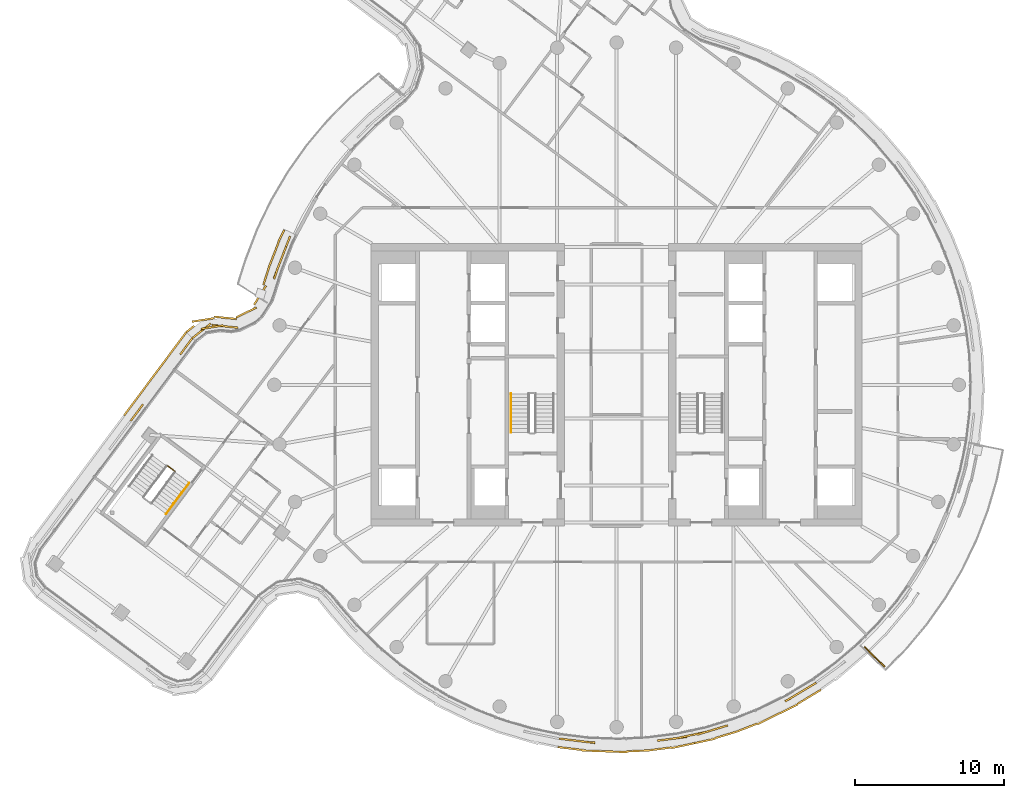
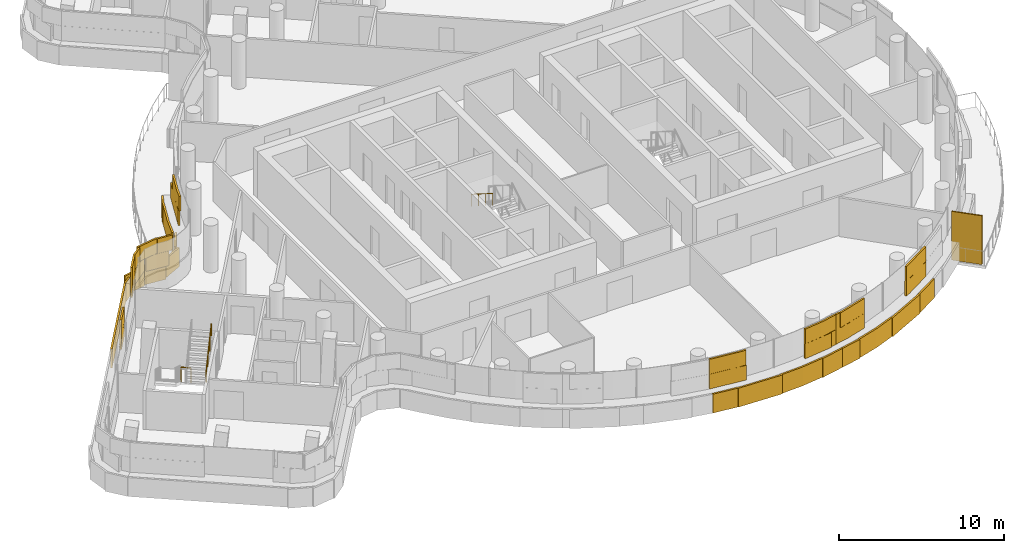
# One storey, part 23 of 27: 4 coverings, 3 railings, 1 shading device.
"""IFC4 building model written with IfcOpenShell, lengths in metres."""

from ifc_helpers import new_model, si_unit, direction, frame, origin, origin_2d, place, context, subcontext, project, spatial, rectangle, circle, extrude, material, layer, layer_set, type_object, element, save


model = new_model("IFC4")

# Units and contexts
model_context = context("Model", 3, precision=1e-05, world=origin(), true_north=direction((0.0, 1.0)))
body_context = subcontext(model_context, "Body", "Model", "MODEL_VIEW")
ifc_project = project(units=[si_unit("LENGTHUNIT", "METRE"), si_unit("AREAUNIT", "SQUARE_METRE"), si_unit("VOLUMEUNIT", "CUBIC_METRE"), si_unit("PLANEANGLEUNIT", "RADIAN"), si_unit("MASSUNIT", "GRAM", prefix="KILO")], contexts=[model_context])

# Site, building, storey
site_placement = place(None, origin())
site = spatial("IfcSite", under=ifc_project, at=site_placement, CompositionType="ELEMENT")
building_placement = place(site_placement, origin())
building = spatial("IfcBuilding", under=site, at=building_placement, Name="Tamarind Cross Interchange Tower", CompositionType="ELEMENT")
storey_placement = place(building_placement, frame((0.0, 0.0, 227.10009765625)))
storey = spatial("IfcBuildingStorey", under=building, at=storey_placement, Name="L57", CompositionType="ELEMENT", Elevation=227.10009765625)

# Shading device
ifc_material_1 = material(Name="Bronze-finish aluminium louvre", Category="aluminium")
ifc_layer_1 = layer(ifc_material_1, 0.080078125)
ifc_layer_set_1 = layer_set([ifc_layer_1], Name="Bronze-finish aluminium louvre")
shading_device_type = type_object("IfcShadingDeviceType", Name="Operable louvre bay", PredefinedType="JALOUSIE", material=ifc_layer_set_1)
shading_device_placement = place(storey_placement, origin())
element("IfcShadingDevice", 1, at=shading_device_placement, inside=storey, type_object=shading_device_type, Name="LVR-L57-BAL02", PredefinedType="JALOUSIE", context=body_context, shape_type="SweptSolid", body=[
    extrude(rectangle(XDim=1.89990234375, YDim=0.080078125, at=origin_2d()), frame((17.330322265625, -18.277587890625, -0.000244140625), z_axis=(0.0, 0.0, 1.0), x_axis=(0.710143317658, -0.704057148523, 0.0)), (0.0, 0.0, 1.0), 3.60009765625),
])

# Railings
ifc_material_2 = material(Name="Stair guard")
railing_type_1 = type_object("IfcRailingType", Name="Stair guard", PredefinedType="GUARDRAIL", material=ifc_material_2)
railing_1_placement = place(storey_placement, frame((-30.17529296875, -5.442138671875, 0.0)))
element("IfcRailing", 2, at=railing_1_placement, inside=storey, type_object=railing_type_1, Name="L57 ST5 stair guard 4", PredefinedType="GUARDRAIL", context=body_context, shape_type="SweptSolid", body=[
    extrude(circle(Radius=0.02392578125, at=origin_2d()), frame((0.0, 0.0, 1.076171875), z_axis=(0.801657222173, -0.597783989529, 0.0), x_axis=(0.597783989529, 0.801657222173, 0.0)), (0.0, 0.0, 1.0), 0.599853515625),
    extrude(circle(Radius=0.02099609375, at=origin_2d()), origin(), (0.0, 0.0, 1.0), 1.052001953125),
    extrude(circle(Radius=0.02099609375, at=origin_2d()), frame((0.48095703125, -0.358642578125, 0.0)), (0.0, 0.0, 1.0), 1.052001953125),
])
ifc_material_3 = material(Name="Stair handrail")
railing_type_2 = type_object("IfcRailingType", Name="Stair handrail", PredefinedType="HANDRAIL", material=ifc_material_3)
railing_2_placement = place(storey_placement, frame((-7.10009765625, -0.60009765625, 1.963623046875)))
element("IfcRailing", 3, at=railing_2_placement, inside=storey, type_object=railing_type_2, Name="L57 ST1 stair handrail 2", PredefinedType="HANDRAIL", context=body_context, shape_type="SweptSolid", body=[
    extrude(circle(Radius=0.02392578125, at=origin_2d()), frame((0.0, 0.0, 0.8759765625), z_axis=(0.0, -0.846337672412, 0.532646734952), x_axis=(1.0, 0.0, 0.0)), (0.0, 0.0, 1.0), 3.07177734375),
    extrude(circle(Radius=0.02099609375, at=origin_2d()), origin(), (0.0, 0.0, 1.0), 0.851806640625),
    extrude(circle(Radius=0.02099609375, at=origin_2d()), frame((0.0, -0.86669921875, 0.54541015625)), (0.0, 0.0, 1.0), 0.851806640625),
    extrude(circle(Radius=0.02099609375, at=origin_2d()), frame((0.0, -1.733154296875, 1.0908203125)), (0.0, 0.0, 1.0), 0.851806640625),
    extrude(circle(Radius=0.02099609375, at=origin_2d()), frame((0.0, -2.599853515625, 1.63623046875)), (0.0, 0.0, 1.0), 0.851806640625),
])
railing_3_placement = place(storey_placement, frame((-30.276611328125, -8.67236328125, 1.963623046875)))
element("IfcRailing", 4, at=railing_3_placement, inside=storey, type_object=railing_type_2, Name="L57 ST5 stair handrail 2", PredefinedType="HANDRAIL", context=body_context, shape_type="SweptSolid", body=[
    extrude(circle(Radius=0.02392578125, at=origin_2d()), frame((0.0, 0.0, 0.8759765625), z_axis=(0.505993810568, 0.678446546383, 0.532616698355), x_axis=(-0.801608407314, 0.597849447038, 0.0)), (0.0, 0.0, 1.0), 3.072021484375),
    extrude(circle(Radius=0.02099609375, at=origin_2d()), origin(), (0.0, 0.0, 1.0), 0.851806640625),
    extrude(circle(Radius=0.02099609375, at=origin_2d()), frame((0.51806640625, 0.69482421875, 0.54541015625)), (0.0, 0.0, 1.0), 0.851806640625),
    extrude(circle(Radius=0.02099609375, at=origin_2d()), frame((1.036376953125, 1.389404296875, 1.0908203125)), (0.0, 0.0, 1.0), 0.851806640625),
    extrude(circle(Radius=0.02099609375, at=origin_2d()), frame((1.554443359375, 2.084228515625, 1.63623046875)), (0.0, 0.0, 1.0), 0.851806640625),
])

# Coverings
ifc_material_4 = material(Name="Terracotta", Category="masonry")
ifc_layer_2 = layer(ifc_material_4, 0.1201171875)
ifc_layer_set_2 = layer_set([ifc_layer_2], Name="Terracotta")
covering_type = type_object("IfcCoveringType", Name="Terracotta baguette screen unit", PredefinedType="MOLDING", material=ifc_layer_set_2)
covering_1_placement = place(storey_placement, origin())
element("IfcCovering", 5, at=covering_1_placement, inside=storey, type_object=covering_type, Name="SCR-L57-02-02", PredefinedType="MOLDING", context=body_context, shape_type="SweptSolid", body=[
    extrude(rectangle(XDim=1.119384765625, YDim=0.1201171875, at=origin_2d()), frame((-3.3115234375, -23.840576171875, 1.40380859375), z_axis=(0.0, 0.0, 1.0), x_axis=(0.992843710523, -0.119420963295, 0.0)), (0.0, 0.0, 1.0), 1.092041015625),
    extrude(rectangle(XDim=1.322265625, YDim=0.1201171875, at=origin_2d()), frame((-2.109375, -23.985107421875, 1.40380859375), z_axis=(0.0, 0.0, 1.0), x_axis=(0.992843710523, -0.119420963295, 0.0)), (0.0, 0.0, 1.0), 1.092041015625),
    extrude(rectangle(XDim=0.49755859375, YDim=0.1201171875, at=origin_2d()), frame((2.978271484375, -23.880615234375, 1.40380859375), z_axis=(0.0, 0.0, 1.0), x_axis=(0.991779070368, 0.127962008342, 0.0)), (0.0, 0.0, 1.0), 1.092041015625),
    extrude(rectangle(XDim=1.52001953125, YDim=0.1201171875, at=origin_2d()), frame((3.964111328125, -23.75341796875, 1.40380859375), z_axis=(0.0, 0.0, 1.0), x_axis=(0.991779070368, 0.127962008342, 0.0)), (0.0, 0.0, 1.0), 1.092041015625),
    extrude(rectangle(XDim=0.44384765625, YDim=0.1201171875, at=origin_2d()), frame((4.910888671875, -23.559326171875, 1.40380859375), z_axis=(0.0, 0.0, 1.0), x_axis=(0.977824623121, 0.209425419705, 0.0)), (0.0, 0.0, 1.0), 1.092041015625),
    extrude(rectangle(XDim=0.369384765625, YDim=0.1201171875, at=origin_2d()), frame((-3.683837890625, -23.7958984375, 2.50390625), z_axis=(0.0, 0.0, 1.0), x_axis=(0.992843710523, -0.119420963295, 0.0)), (0.0, 0.0, 1.0), 1.092041015625),
    extrude(rectangle(XDim=1.52001953125, YDim=0.1201171875, at=origin_2d()), frame((-2.7607421875, -23.90673828125, 2.50390625), z_axis=(0.0, 0.0, 1.0), x_axis=(0.992843710523, -0.119420963295, 0.0)), (0.0, 0.0, 1.0), 1.092041015625),
    extrude(rectangle(XDim=0.572265625, YDim=0.1201171875, at=origin_2d()), frame((-1.736083984375, -24.017578125, 2.50390625), z_axis=(0.0, 0.0, 1.0), x_axis=(0.999314350871, -0.037024696392, 0.0)), (0.0, 0.0, 1.0), 1.092041015625),
    extrude(rectangle(XDim=1.24755859375, YDim=0.1201171875, at=origin_2d()), frame((3.350341796875, -23.832763671875, 2.50390625), z_axis=(0.0, 0.0, 1.0), x_axis=(0.991779070368, 0.127962008342, 0.0)), (0.0, 0.0, 1.0), 1.092041015625),
    extrude(rectangle(XDim=1.19384765625, YDim=0.1201171875, at=origin_2d()), frame((4.544189453125, -23.637939453125, 2.50390625), z_axis=(0.0, 0.0, 1.0), x_axis=(0.977824623121, 0.209425419705, 0.0)), (0.0, 0.0, 1.0), 1.092041015625),
    extrude(rectangle(XDim=0.170166015625, YDim=0.1201171875, at=origin_2d()), frame((-3.86962890625, -24.3515625, 0.00390625), z_axis=(0.0, 0.0, 1.0), x_axis=(0.992843710523, -0.119420963295, 0.0)), (0.0, 0.0, 1.0), 1.39208984375),
    extrude(rectangle(XDim=1.52001953125, YDim=0.1201171875, at=origin_2d()), frame((-3.050537109375, -24.4501953125, 0.00390625), z_axis=(0.0, 0.0, 1.0), x_axis=(0.992843710523, -0.119420963295, 0.0)), (0.0, 0.0, 1.0), 1.39208984375),
    extrude(rectangle(XDim=1.52001953125, YDim=0.1201171875, at=origin_2d()), frame((-1.558837890625, -24.5986328125, 0.00390625), z_axis=(0.0, 0.0, 1.0), x_axis=(0.999314350871, -0.037024696392, 0.0)), (0.0, 0.0, 1.0), 1.39208984375),
    extrude(rectangle(XDim=1.52001953125, YDim=0.1201171875, at=origin_2d()), frame((-0.059814453125, -24.654052734375, 0.00390625), z_axis=(0.0, 0.0, 1.0), x_axis=(0.999314350871, -0.037024696392, 0.0)), (0.0, 0.0, 1.0), 1.39208984375),
    extrude(rectangle(XDim=1.52001953125, YDim=0.1201171875, at=origin_2d()), frame((1.438720703125, -24.599365234375, 0.00390625), z_axis=(0.0, 0.0, 1.0), x_axis=(0.998958660912, 0.045624486728, 0.0)), (0.0, 0.0, 1.0), 1.39208984375),
    extrude(rectangle(XDim=1.52001953125, YDim=0.1201171875, at=origin_2d()), frame((2.931396484375, -24.465576171875, 0.00390625), z_axis=(0.0, 0.0, 1.0), x_axis=(0.991779070368, 0.127962008342, 0.0)), (0.0, 0.0, 1.0), 1.39208984375),
    extrude(rectangle(XDim=1.52001953125, YDim=0.1201171875, at=origin_2d()), frame((4.41552734375, -24.25244140625, 0.00390625), z_axis=(0.0, 0.0, 1.0), x_axis=(0.977824623121, 0.209425419705, 0.0)), (0.0, 0.0, 1.0), 1.39208984375),
    extrude(rectangle(XDim=0.108642578125, YDim=0.1201171875, at=origin_2d()), frame((5.192138671875, -24.086181640625, 0.00390625), z_axis=(0.0, 0.0, 1.0), x_axis=(0.977824623121, 0.209425419705, 0.0)), (0.0, 0.0, 1.0), 1.39208984375),
])
covering_2_placement = place(storey_placement, origin())
element("IfcCovering", 6, at=covering_2_placement, inside=storey, type_object=covering_type, Name="SCR-L57-02-03", PredefinedType="MOLDING", context=body_context, shape_type="SweptSolid", body=[
    extrude(rectangle(XDim=1.076171875, YDim=0.1201171875, at=origin_2d()), frame((5.644287109375, -23.40234375, 1.40380859375), z_axis=(0.0, 0.0, 1.0), x_axis=(0.977824623121, 0.209425419705, 0.0)), (0.0, 0.0, 1.0), 1.092041015625),
    extrude(rectangle(XDim=1.365234375, YDim=0.1201171875, at=origin_2d()), frame((6.81103515625, -23.08203125, 1.40380859375), z_axis=(0.0, 0.0, 1.0), x_axis=(0.957190642199, 0.289458243079, 0.0)), (0.0, 0.0, 1.0), 1.092041015625),
    extrude(rectangle(XDim=0.45458984375, YDim=0.1201171875, at=origin_2d()), frame((11.52001953125, -21.150634765625, 1.40380859375), z_axis=(0.0, 0.0, 1.0), x_axis=(0.896492548518, 0.443058811505, 0.0)), (0.0, 0.0, 1.0), 1.092041015625),
    extrude(rectangle(XDim=1.52001953125, YDim=0.1201171875, at=origin_2d()), frame((12.354736328125, -20.652099609375, 1.40380859375), z_axis=(0.0, 0.0, 1.0), x_axis=(0.856843065292, 0.515577308909, 0.0)), (0.0, 0.0, 1.0), 1.092041015625),
    extrude(rectangle(XDim=0.486572265625, YDim=0.1201171875, at=origin_2d()), frame((13.20166015625, -20.142578125, 1.40380859375), z_axis=(0.0, 0.0, 1.0), x_axis=(0.856843065292, 0.515577308909, 0.0)), (0.0, 0.0, 1.0), 1.092041015625),
    extrude(rectangle(XDim=0.326171875, YDim=0.1201171875, at=origin_2d()), frame((5.277587890625, -23.48095703125, 2.50390625), z_axis=(0.0, 0.0, 1.0), x_axis=(0.977824623121, 0.209425419705, 0.0)), (0.0, 0.0, 1.0), 1.092041015625),
    extrude(rectangle(XDim=1.52001953125, YDim=0.1201171875, at=origin_2d()), frame((6.162353515625, -23.2783203125, 2.50390625), z_axis=(0.0, 0.0, 1.0), x_axis=(0.957190642199, 0.289458243079, 0.0)), (0.0, 0.0, 1.0), 1.092041015625),
    extrude(rectangle(XDim=0.615234375, YDim=0.1201171875, at=origin_2d()), frame((7.169921875, -22.9736328125, 2.50390625), z_axis=(0.0, 0.0, 1.0), x_axis=(0.957190642199, 0.289458243079, 0.0)), (0.0, 0.0, 1.0), 1.092041015625),
    extrude(rectangle(XDim=1.20458984375, YDim=0.1201171875, at=origin_2d()), frame((11.843017578125, -20.960205078125, 2.50390625), z_axis=(0.0, 0.0, 1.0), x_axis=(0.856843065292, 0.515577308909, 0.0)), (0.0, 0.0, 1.0), 1.092041015625),
    extrude(rectangle(XDim=1.236572265625, YDim=0.1201171875, at=origin_2d()), frame((12.88037109375, -20.3359375, 2.50390625), z_axis=(0.0, 0.0, 1.0), x_axis=(0.856843065292, 0.515577308909, 0.0)), (0.0, 0.0, 1.0), 1.092041015625),
    extrude(rectangle(XDim=1.411376953125, YDim=0.1201171875, at=origin_2d()), frame((5.935302734375, -23.927001953125, 0.00390625), z_axis=(0.0, 0.0, 1.0), x_axis=(0.977824623121, 0.209425419705, 0.0)), (0.0, 0.0, 1.0), 1.39208984375),
    extrude(rectangle(XDim=1.52001953125, YDim=0.1201171875, at=origin_2d()), frame((7.32373046875, -23.526611328125, 0.00390625), z_axis=(0.0, 0.0, 1.0), x_axis=(0.957190642199, 0.289458243079, 0.0)), (0.0, 0.0, 1.0), 1.39208984375),
    extrude(rectangle(XDim=1.52001953125, YDim=0.1201171875, at=origin_2d()), frame((8.740966796875, -23.039306640625, 0.00390625), z_axis=(0.0, 0.0, 1.0), x_axis=(0.930018078613, 0.367513773146, 0.0)), (0.0, 0.0, 1.0), 1.39208984375),
    extrude(rectangle(XDim=1.52001953125, YDim=0.1201171875, at=origin_2d()), frame((10.13134765625, -22.477294921875, 0.00390625), z_axis=(0.0, 0.0, 1.0), x_axis=(0.896492548518, 0.443058811505, 0.0)), (0.0, 0.0, 1.0), 1.39208984375),
    extrude(rectangle(XDim=1.52001953125, YDim=0.1201171875, at=origin_2d()), frame((11.47607421875, -21.812744140625, 0.00390625), z_axis=(0.0, 0.0, 1.0), x_axis=(0.896492548518, 0.443058811505, 0.0)), (0.0, 0.0, 1.0), 1.39208984375),
    extrude(rectangle(XDim=1.52001953125, YDim=0.1201171875, at=origin_2d()), frame((12.77685546875, -21.06787109375, 0.00390625), z_axis=(0.0, 0.0, 1.0), x_axis=(0.856843065292, 0.515577308909, 0.0)), (0.0, 0.0, 1.0), 1.39208984375),
    extrude(rectangle(XDim=0.366943359375, YDim=0.1201171875, at=origin_2d()), frame((13.568359375, -20.591796875, 0.00390625), z_axis=(0.0, 0.0, 1.0), x_axis=(0.856843065292, 0.515577308909, 0.0)), (0.0, 0.0, 1.0), 1.39208984375),
])
covering_3_placement = place(storey_placement, origin())
element("IfcCovering", 7, at=covering_3_placement, inside=storey, type_object=covering_type, Name="SCR-L57-06-01", PredefinedType="MOLDING", context=body_context, shape_type="SweptSolid", body=[
    extrude(rectangle(XDim=1.52001953125, YDim=0.1201171875, at=origin_2d()), frame((-22.218017578125, 9.27099609375, 1.40380859375), z_axis=(0.0, 0.0, 1.0), x_axis=(-0.359478314887, -0.933153439219, 0.0)), (0.0, 0.0, 1.0), 1.092041015625),
    extrude(rectangle(XDim=1.52001953125, YDim=0.1201171875, at=origin_2d()), frame((-22.757080078125, 7.87109375, 1.40380859375), z_axis=(0.0, 0.0, 1.0), x_axis=(-0.359478314887, -0.933153439219, 0.0)), (0.0, 0.0, 1.0), 1.092041015625),
    extrude(rectangle(XDim=1.52001953125, YDim=0.1201171875, at=origin_2d()), frame((-26.437255859375, 3.9404296875, 1.40380859375), z_axis=(0.0, 0.0, 1.0), x_axis=(-0.994785424542, 0.101989995189, 0.0)), (0.0, 0.0, 1.0), 1.092041015625),
    extrude(rectangle(XDim=1.52001953125, YDim=0.1201171875, at=origin_2d()), frame((-27.869873046875, 3.64306640625, 1.40380859375), z_axis=(0.0, 0.0, 1.0), x_axis=(-0.782606458672, -0.622516771537, 0.0)), (0.0, 0.0, 1.0), 1.092041015625),
    extrude(rectangle(XDim=0.06982421875, YDim=0.1201171875, at=origin_2d()), frame((-28.480224609375, 3.15771484375, 1.40380859375), z_axis=(0.0, 0.0, 1.0), x_axis=(-0.782606458672, -0.622516771537, 0.0)), (0.0, 0.0, 1.0), 1.092041015625),
    extrude(rectangle(XDim=1.52001953125, YDim=0.1201171875, at=origin_2d()), frame((-22.487548828125, 8.571044921875, 2.50390625), z_axis=(0.0, 0.0, 1.0), x_axis=(-0.359478314887, -0.933153439219, 0.0)), (0.0, 0.0, 1.0), 1.092041015625),
    extrude(rectangle(XDim=0.820556640625, YDim=0.1201171875, at=origin_2d()), frame((-22.888671875, 7.488037109375, 2.50390625), z_axis=(0.0, 0.0, 1.0), x_axis=(-0.302552246767, -0.953132801857, 0.0)), (0.0, 0.0, 1.0), 1.092041015625),
    extrude(rectangle(XDim=0.99951171875, YDim=0.1201171875, at=origin_2d()), frame((-25.945068359375, 3.889892578125, 2.50390625), z_axis=(0.0, 0.0, 1.0), x_axis=(-0.994785424542, 0.101989995189, 0.0)), (0.0, 0.0, 1.0), 1.092041015625),
    extrude(rectangle(XDim=1.52001953125, YDim=0.1201171875, at=origin_2d()), frame((-27.179443359375, 3.874755859375, 2.50390625), z_axis=(0.0, 0.0, 1.0), x_axis=(-0.987876370015, -0.155242640937, 0.0)), (0.0, 0.0, 1.0), 1.092041015625),
    extrude(rectangle(XDim=0.81982421875, YDim=0.1201171875, at=origin_2d()), frame((-28.186767578125, 3.39111328125, 2.50390625), z_axis=(0.0, 0.0, 1.0), x_axis=(-0.782606458672, -0.622516771537, 0.0)), (0.0, 0.0, 1.0), 1.092041015625),
    extrude(rectangle(XDim=0.957763671875, YDim=0.1201171875, at=origin_2d()), frame((-22.54150390625, 9.9833984375, 0.00390625), z_axis=(0.0, 0.0, 1.0), x_axis=(-0.435326231914, -0.900272776334, 0.0)), (0.0, 0.0, 1.0), 1.39208984375),
    extrude(rectangle(XDim=1.52001953125, YDim=0.1201171875, at=origin_2d()), frame((-22.994384765625, 8.852294921875, 0.00390625), z_axis=(0.0, 0.0, 1.0), x_axis=(-0.359478314887, -0.933153439219, 0.0)), (0.0, 0.0, 1.0), 1.39208984375),
    extrude(rectangle(XDim=1.52001953125, YDim=0.1201171875, at=origin_2d()), frame((-23.50537109375, 7.442626953125, 0.00390625), z_axis=(0.0, 0.0, 1.0), x_axis=(-0.302552246767, -0.953132801857, 0.0)), (0.0, 0.0, 1.0), 1.39208984375),
    extrude(rectangle(XDim=1.52001953125, YDim=0.1201171875, at=origin_2d()), frame((-23.964111328125, 6.015380859375, 0.00390625), z_axis=(0.0, 0.0, 1.0), x_axis=(-0.53594577074, -0.844252409429, 0.0)), (0.0, 0.0, 1.0), 1.39208984375),
    extrude(rectangle(XDim=1.52001953125, YDim=0.1201171875, at=origin_2d()), frame((-24.887451171875, 4.86279296875, 0.00390625), z_axis=(0.0, 0.0, 1.0), x_axis=(-0.899793404136, -0.436316204001, 0.0)), (0.0, 0.0, 1.0), 1.39208984375),
    extrude(rectangle(XDim=1.52001953125, YDim=0.1201171875, at=origin_2d()), frame((-26.302734375, 4.503662109375, 0.00390625), z_axis=(0.0, 0.0, 1.0), x_axis=(-0.994785424542, 0.101989995189, 0.0)), (0.0, 0.0, 1.0), 1.39208984375),
    extrude(rectangle(XDim=1.52001953125, YDim=0.1201171875, at=origin_2d()), frame((-27.787109375, 4.3603515625, 0.00390625), z_axis=(0.0, 0.0, 1.0), x_axis=(-0.987876370015, -0.155242640937, 0.0)), (0.0, 0.0, 1.0), 1.39208984375),
    extrude(rectangle(XDim=0.67236328125, YDim=0.1201171875, at=origin_2d()), frame((-28.656005859375, 3.751220703125, 0.00390625), z_axis=(0.0, 0.0, 1.0), x_axis=(-0.782606458672, -0.622516771537, 0.0)), (0.0, 0.0, 1.0), 1.39208984375),
])
covering_4_placement = place(storey_placement, origin())
element("IfcCovering", 8, at=covering_4_placement, inside=storey, type_object=covering_type, Name="SCR-L57-07-00", PredefinedType="MOLDING", context=body_context, shape_type="SweptSolid", body=[
    extrude(rectangle(XDim=0.760009765625, YDim=0.1201171875, at=origin_2d()), frame((-28.727783203125, 2.83837890625, 1.40380859375), z_axis=(0.0, 0.0, 1.0), x_axis=(-0.597837829041, -0.801617072029, 0.0)), (0.0, 0.0, 1.0), 1.092041015625),
    extrude(rectangle(XDim=0.623046875, YDim=0.1201171875, at=origin_2d()), frame((-29.13525390625, 2.292236328125, 1.40380859375), z_axis=(0.0, 0.0, 1.0), x_axis=(-0.597837829041, -0.801617072029, 0.0)), (0.0, 0.0, 1.0), 1.092041015625),
    extrude(rectangle(XDim=1.197021484375, YDim=0.1201171875, at=origin_2d()), frame((-32.18408203125, -1.796142578125, 1.40380859375), z_axis=(0.0, 0.0, 1.0), x_axis=(-0.597837829041, -0.801617072029, 0.0)), (0.0, 0.0, 1.0), 1.092041015625),
    extrude(rectangle(XDim=0.185791015625, YDim=0.1201171875, at=origin_2d()), frame((-32.591552734375, -2.34228515625, 1.40380859375), z_axis=(0.0, 0.0, 1.0), x_axis=(-0.597837829041, -0.801617072029, 0.0)), (0.0, 0.0, 1.0), 1.092041015625),
    extrude(rectangle(XDim=1.363037109375, YDim=0.1201171875, at=origin_2d()), frame((-28.910888671875, 2.5927734375, 2.50390625), z_axis=(0.0, 0.0, 1.0), x_axis=(-0.597837829041, -0.801617072029, 0.0)), (0.0, 0.0, 1.0), 1.092041015625),
    extrude(rectangle(XDim=0.447021484375, YDim=0.1201171875, at=origin_2d()), frame((-31.9599609375, -1.49560546875, 2.50390625), z_axis=(0.0, 0.0, 1.0), x_axis=(-0.597837829041, -0.801617072029, 0.0)), (0.0, 0.0, 1.0), 1.092041015625),
    extrude(rectangle(XDim=0.935791015625, YDim=0.1201171875, at=origin_2d()), frame((-32.367431640625, -2.041748046875, 2.50390625), z_axis=(0.0, 0.0, 1.0), x_axis=(-0.597837829041, -0.801617072029, 0.0)), (0.0, 0.0, 1.0), 1.092041015625),
    extrude(rectangle(XDim=0.760009765625, YDim=0.1201171875, at=origin_2d()), frame((-29.146484375, 3.2373046875, 0.00390625), z_axis=(0.0, 0.0, 1.0), x_axis=(-0.597837829041, -0.801617072029, 0.0)), (0.0, 0.0, 1.0), 1.39208984375),
    extrude(rectangle(XDim=1.52001953125, YDim=0.1201171875, at=origin_2d()), frame((-29.81591796875, 2.33935546875, 0.00390625), z_axis=(0.0, 0.0, 1.0), x_axis=(-0.597837829041, -0.801617072029, 0.0)), (0.0, 0.0, 1.0), 1.39208984375),
    extrude(rectangle(XDim=1.52001953125, YDim=0.1201171875, at=origin_2d()), frame((-30.712646484375, 1.136962890625, 0.00390625), z_axis=(0.0, 0.0, 1.0), x_axis=(-0.597837829041, -0.801617072029, 0.0)), (0.0, 0.0, 1.0), 1.39208984375),
    extrude(rectangle(XDim=1.52001953125, YDim=0.1201171875, at=origin_2d()), frame((-31.609375, -0.0654296875, 0.00390625), z_axis=(0.0, 0.0, 1.0), x_axis=(-0.597837829041, -0.801617072029, 0.0)), (0.0, 0.0, 1.0), 1.39208984375),
    extrude(rectangle(XDim=1.52001953125, YDim=0.1201171875, at=origin_2d()), frame((-32.506103515625, -1.267822265625, 0.00390625), z_axis=(0.0, 0.0, 1.0), x_axis=(-0.597837829041, -0.801617072029, 0.0)), (0.0, 0.0, 1.0), 1.39208984375),
    extrude(rectangle(XDim=0.2451171875, YDim=0.1201171875, at=origin_2d()), frame((-33.02197265625, -1.959228515625, 0.00390625), z_axis=(0.0, 0.0, 1.0), x_axis=(-0.597837829041, -0.801617072029, 0.0)), (0.0, 0.0, 1.0), 1.39208984375),
])

save(model, "model.ifc")
